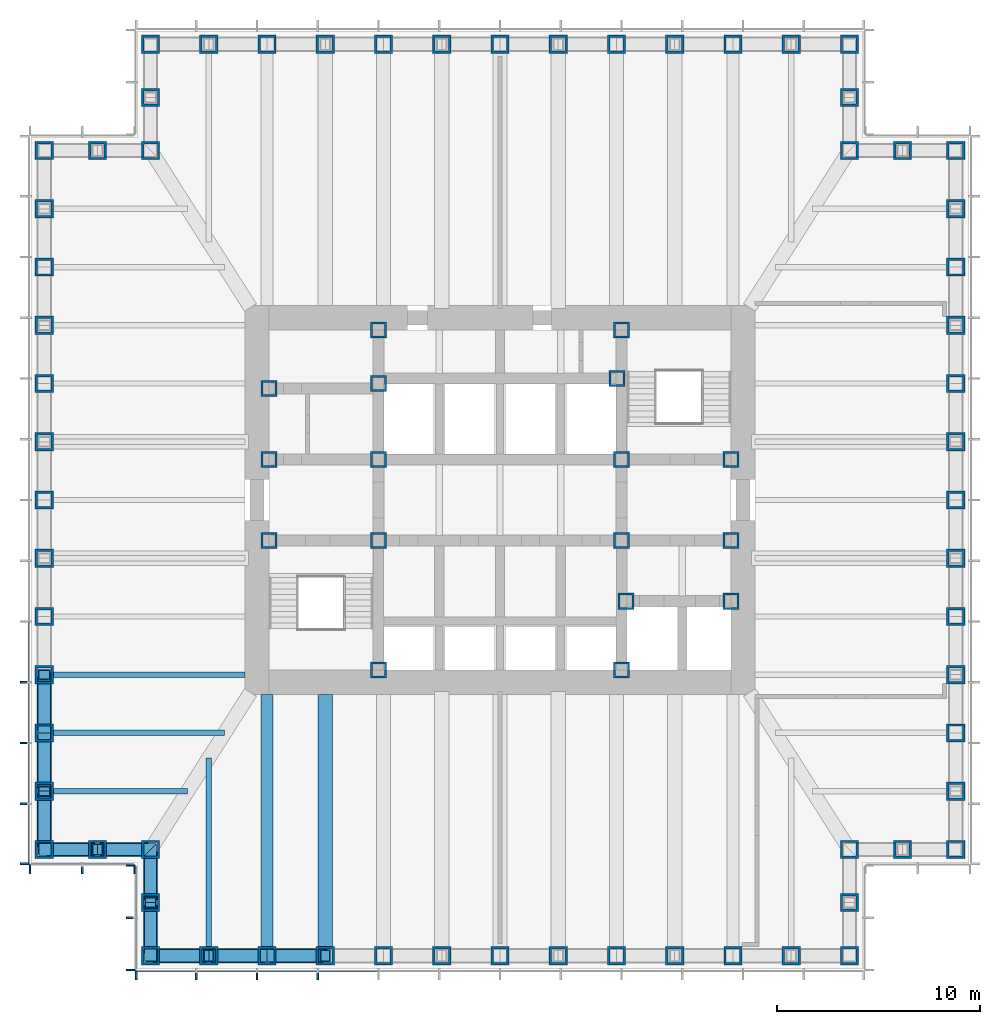
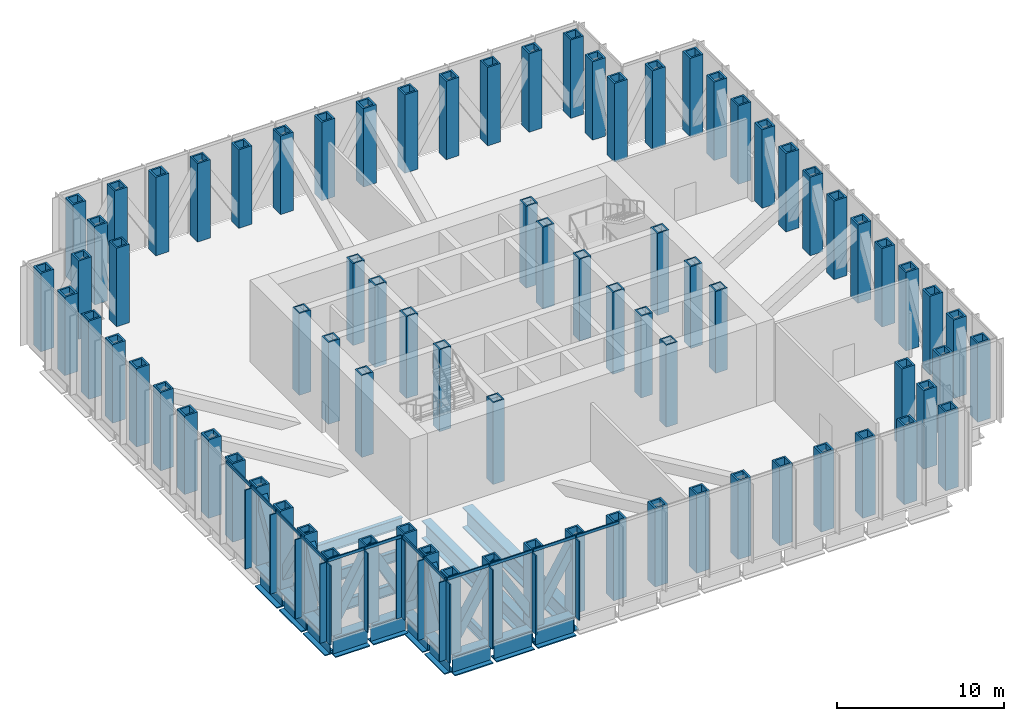
# One storey, part 1 of 13: 81 columns, 36 members, 16 beams, 4 elements without a shape of their own.
"""IFC4 building model written with IfcOpenShell, lengths in metres."""

from ifc_helpers import new_model, si_unit, direction, frame, origin, origin_2d, place, context, subcontext, project, spatial, rectangle, hollow_rectangle, i_section, extrude, material, material_profile, profile_set, type_object, element, aggregate, save


model = new_model("IFC4")

# Units and contexts
model_context = context("Model", 3, precision=1e-05, world=origin(), true_north=direction((0.0, 1.0)))
body_context = subcontext(model_context, "Body", "Model", "MODEL_VIEW")
ifc_project = project(units=[si_unit("LENGTHUNIT", "METRE"), si_unit("AREAUNIT", "SQUARE_METRE"), si_unit("VOLUMEUNIT", "CUBIC_METRE"), si_unit("PLANEANGLEUNIT", "RADIAN"), si_unit("MASSUNIT", "GRAM", prefix="KILO")], contexts=[model_context])

# Site, building, storey
site_placement = place(None, origin())
site = spatial("IfcSite", under=ifc_project, at=site_placement, CompositionType="ELEMENT")
building_placement = place(site_placement, origin())
building = spatial("IfcBuilding", under=site, at=building_placement, Name="Daluyong Arena Tower", CompositionType="ELEMENT")
storey_placement = place(building_placement, frame((0.0, 0.0, 175.300048828125)))
storey = spatial("IfcBuildingStorey", under=building, at=storey_placement, Name="L39", CompositionType="ELEMENT", Elevation=175.300048828125)

# Columns
ifc_material_1 = material(Name="Steel ASTM A572 Grade 50", Category="steel")
ifc_material_profile_1 = material_profile(ifc_material_1, hollow_rectangle(XDim=0.800048828125, YDim=0.800048828125, WallThickness=0.1, at=origin_2d()))
ifc_profile_set_1 = profile_set([ifc_material_profile_1], Name="Steel ASTM A572 Grade 50")
column_type_1 = type_object("IfcColumnType", Name="Core boundary column BX800X100", PredefinedType="COLUMN", material=ifc_profile_set_1)
for number, where, z_axis, x_axis, name in (
    (1, (44.60009765625, 78.0, 0.0), (0.0, 0.0, 1.0), (1.0, 0.0, 0.0), "core boundary column BC2"),
    (2, (44.60009765625, 82.0, 0.0), (0.0, 0.0, 1.0), (1.0, 0.0, 0.0), "core boundary column BC2"),
    (3, (44.60009765625, 85.5, 0.0), (0.0, 0.0, 1.0), (1.0, 0.0, 0.0), "core boundary column BC2"),
    (4, (50.0, 71.60009765625, 0.0), (0.0, 0.0, 1.0), (1.0, 0.0, 0.0), "core boundary column BC2"),
    (5, (50.0, 78.0, 0.0), (0.0, 0.0, 1.0), (1.0, 0.0, 0.0), "core boundary column BC2"),
    (6, (50.0, 82.0, 0.0), (0.0, 0.0, 1.0), (1.0, 0.0, 0.0), "core boundary column BC2"),
    (7, (50.0, 85.75, 0.0), (0.0, 0.0, 1.0), (1.0, 0.0, 0.0), "core boundary column BC2"),
    (8, (50.0, 88.39990234375, 0.0), (0.0, 0.0, 1.0), (1.0, 0.0, 0.0), "core boundary column BC2"),
    (9, (61.77490234375, 86.0, 0.0), (0.0, 0.0, 1.0), (1.0, 0.0, 0.0), "core boundary column BC2"),
    (10, (62.0, 71.60009765625, 0.0), (0.0, 0.0, 1.0), (1.0, 0.0, 0.0), "core boundary column BC2"),
    (11, (62.0, 78.0, 0.0), (0.0, 0.0, 1.0), (1.0, 0.0, 0.0), "core boundary column BC2"),
    (12, (62.0, 82.0, 0.0), (0.0, 0.0, 1.0), (1.0, 0.0, 0.0), "core boundary column BC2"),
    (13, (62.0, 88.39990234375, 0.0), (0.0, 0.0, 1.0), (1.0, 0.0, 0.0), "core boundary column BC2"),
    (14, (62.22509765625, 75.0, 0.0), (0.0, 0.0, 1.0), (1.0, 0.0, 0.0), "core boundary column BC2"),
    (15, (67.39990234375, 75.0, 0.0), (0.0, 0.0, 1.0), (1.0, 0.0, 0.0), "core boundary column BC2"),
    (16, (67.39990234375, 78.0, 0.0), (0.0, 0.0, 1.0), (1.0, 0.0, 0.0), "core boundary column BC2"),
    (17, (67.39990234375, 82.0, 0.0), (0.0, 0.0, 1.0), (1.0, 0.0, 0.0), "core boundary column BC2"),
):
    element("IfcColumn", number, at=place(storey_placement, frame(where, z_axis=z_axis, x_axis=x_axis)), inside=storey, type_object=column_type_1, Name=name, PredefinedType="COLUMN", context=body_context, shape_type="SweptSolid", body=[
        extrude(hollow_rectangle(XDim=0.800048828125, YDim=0.800048828125, WallThickness=0.1, at=origin_2d()), origin(), (0.0, 0.0, 1.0), 6.0),
    ])
ifc_material_2 = material(Name="Steel ASTM A588 Grade 50", Category="steel")
ifc_material_profile_2 = material_profile(ifc_material_2, hollow_rectangle(XDim=0.89990234375, YDim=0.89990234375, WallThickness=0.12, at=origin_2d()))
ifc_profile_set_2 = profile_set([ifc_material_profile_2], Name="Steel ASTM A588 Grade 50")
column_type_2 = type_object("IfcColumnType", Name="Tube column BX900X120 BX900X120", PredefinedType="COLUMN", material=ifc_profile_set_2)
for number, where, z_axis, x_axis, name in (
    (18, (38.75, 57.5, 0.0), (0.0, 0.0, 1.0), (1.0, 0.0, 0.0), "tube column bx900x120 TC4"),
    (19, (41.625, 57.5, 0.0), (0.0, 0.0, 1.0), (1.0, 0.0, 0.0), "tube column bx900x120 TC4"),
    (20, (44.5, 57.5, 0.0), (0.0, 0.0, 1.0), (1.0, 0.0, 0.0), "tube column bx900x120 TC4"),
    (21, (47.375, 57.5, 0.0), (0.0, 0.0, 1.0), (1.0, 0.0, 0.0), "tube column bx900x120 TC4"),
    (22, (50.25, 57.5, 0.0), (0.0, 0.0, 1.0), (1.0, 0.0, 0.0), "tube column bx900x120 TC4"),
    (23, (53.125, 57.5, 0.0), (0.0, 0.0, 1.0), (1.0, 0.0, 0.0), "tube column bx900x120 TC4"),
    (24, (56.0, 57.5, 0.0), (0.0, 0.0, 1.0), (1.0, 0.0, 0.0), "tube column bx900x120 TC4"),
    (25, (58.875, 57.5, 0.0), (0.0, 0.0, 1.0), (1.0, 0.0, 0.0), "tube column bx900x120 TC4"),
    (26, (61.75, 57.5, 0.0), (0.0, 0.0, 1.0), (1.0, 0.0, 0.0), "tube column bx900x120 TC4"),
    (27, (64.625, 57.5, 0.0), (0.0, 0.0, 1.0), (1.0, 0.0, 0.0), "tube column bx900x120 TC4"),
    (28, (67.5, 57.5, 0.0), (0.0, 0.0, 1.0), (1.0, 0.0, 0.0), "tube column bx900x120 TC4"),
    (29, (70.375, 57.5, 0.0), (0.0, 0.0, 1.0), (1.0, 0.0, 0.0), "tube column bx900x120 TC4"),
    (30, (73.25, 57.5, 0.0), (0.0, 0.0, 1.0), (0.0, 1.0, 0.0), "tube column bx900x120 TC4"),
    (31, (73.25, 60.125, 0.0), (0.0, 0.0, 1.0), (0.0, 1.0, 0.0), "tube column bx900x120 TC4"),
    (32, (73.25, 62.75, 0.0), (0.0, 0.0, 1.0), (1.0, 0.0, 0.0), "tube column bx900x120 TC4"),
    (33, (75.875, 62.75, 0.0), (0.0, 0.0, 1.0), (1.0, 0.0, 0.0), "tube column bx900x120 TC4"),
    (34, (78.5, 62.75, 0.0), (0.0, 0.0, 1.0), (0.0, 1.0, 0.0), "tube column bx900x120 TC4"),
    (35, (78.5, 65.625, 0.0), (0.0, 0.0, 1.0), (0.0, 1.0, 0.0), "tube column bx900x120 TC4"),
    (36, (78.5, 68.5, 0.0), (0.0, 0.0, 1.0), (0.0, 1.0, 0.0), "tube column bx900x120 TC4"),
    (37, (78.5, 71.375, 0.0), (0.0, 0.0, 1.0), (0.0, 1.0, 0.0), "tube column bx900x120 TC4"),
    (38, (78.5, 74.25, 0.0), (0.0, 0.0, 1.0), (0.0, 1.0, 0.0), "tube column bx900x120 TC4"),
    (39, (78.5, 77.125, 0.0), (0.0, 0.0, 1.0), (0.0, 1.0, 0.0), "tube column bx900x120 TC4"),
    (40, (78.5, 80.0, 0.0), (0.0, 0.0, 1.0), (0.0, 1.0, 0.0), "tube column bx900x120 TC4"),
    (41, (78.5, 82.875, 0.0), (0.0, 0.0, 1.0), (0.0, 1.0, 0.0), "tube column bx900x120 TC4"),
    (42, (78.5, 85.75, 0.0), (0.0, 0.0, 1.0), (0.0, 1.0, 0.0), "tube column bx900x120 TC4"),
    (43, (78.5, 88.625, 0.0), (0.0, 0.0, 1.0), (0.0, 1.0, 0.0), "tube column bx900x120 TC4"),
    (44, (78.5, 91.5, 0.0), (0.0, 0.0, 1.0), (0.0, 1.0, 0.0), "tube column bx900x120 TC4"),
    (45, (78.5, 94.375, 0.0), (0.0, 0.0, 1.0), (0.0, 1.0, 0.0), "tube column bx900x120 TC4"),
    (46, (78.5, 97.25, 0.0), (0.0, 0.0, 1.0), (1.0, 0.0, 0.0), "tube column bx900x120 TC4"),
    (47, (75.875, 97.25, 0.0), (0.0, 0.0, 1.0), (1.0, 0.0, 0.0), "tube column bx900x120 TC4"),
    (48, (73.25, 97.25, 0.0), (0.0, 0.0, 1.0), (0.0, 1.0, 0.0), "tube column bx900x120 TC4"),
    (49, (73.25, 99.875, 0.0), (0.0, 0.0, 1.0), (0.0, 1.0, 0.0), "tube column bx900x120 TC4"),
    (50, (73.25, 102.5, 0.0), (0.0, 0.0, 1.0), (1.0, 0.0, 0.0), "tube column bx900x120 TC4"),
    (51, (70.375, 102.5, 0.0), (0.0, 0.0, 1.0), (1.0, 0.0, 0.0), "tube column bx900x120 TC4"),
    (52, (67.5, 102.5, 0.0), (0.0, 0.0, 1.0), (1.0, 0.0, 0.0), "tube column bx900x120 TC4"),
    (53, (64.625, 102.5, 0.0), (0.0, 0.0, 1.0), (1.0, 0.0, 0.0), "tube column bx900x120 TC4"),
    (54, (61.75, 102.5, 0.0), (0.0, 0.0, 1.0), (1.0, 0.0, 0.0), "tube column bx900x120 TC4"),
    (55, (58.875, 102.5, 0.0), (0.0, 0.0, 1.0), (1.0, 0.0, 0.0), "tube column bx900x120 TC4"),
    (56, (56.0, 102.5, 0.0), (0.0, 0.0, 1.0), (1.0, 0.0, 0.0), "tube column bx900x120 TC4"),
    (57, (53.125, 102.5, 0.0), (0.0, 0.0, 1.0), (1.0, 0.0, 0.0), "tube column bx900x120 TC4"),
    (58, (50.25, 102.5, 0.0), (0.0, 0.0, 1.0), (1.0, 0.0, 0.0), "tube column bx900x120 TC4"),
    (59, (47.375, 102.5, 0.0), (0.0, 0.0, 1.0), (1.0, 0.0, 0.0), "tube column bx900x120 TC4"),
    (60, (44.5, 102.5, 0.0), (0.0, 0.0, 1.0), (1.0, 0.0, 0.0), "tube column bx900x120 TC4"),
    (61, (41.625, 102.5, 0.0), (0.0, 0.0, 1.0), (1.0, 0.0, 0.0), "tube column bx900x120 TC4"),
    (62, (38.75, 102.5, 0.0), (0.0, 0.0, 1.0), (0.0, 1.0, 0.0), "tube column bx900x120 TC4"),
    (63, (38.75, 99.875, 0.0), (0.0, 0.0, 1.0), (0.0, 1.0, 0.0), "tube column bx900x120 TC4"),
    (64, (38.75, 97.25, 0.0), (0.0, 0.0, 1.0), (1.0, 0.0, 0.0), "tube column bx900x120 TC4"),
    (65, (36.125, 97.25, 0.0), (0.0, 0.0, 1.0), (1.0, 0.0, 0.0), "tube column bx900x120 TC4"),
    (66, (33.5, 97.25, 0.0), (0.0, 0.0, 1.0), (0.0, 1.0, 0.0), "tube column bx900x120 TC4"),
    (67, (33.5, 94.375, 0.0), (0.0, 0.0, 1.0), (0.0, 1.0, 0.0), "tube column bx900x120 TC4"),
    (68, (33.5, 91.5, 0.0), (0.0, 0.0, 1.0), (0.0, 1.0, 0.0), "tube column bx900x120 TC4"),
    (69, (33.5, 88.625, 0.0), (0.0, 0.0, 1.0), (0.0, 1.0, 0.0), "tube column bx900x120 TC4"),
    (70, (33.5, 85.75, 0.0), (0.0, 0.0, 1.0), (0.0, 1.0, 0.0), "tube column bx900x120 TC4"),
    (71, (33.5, 82.875, 0.0), (0.0, 0.0, 1.0), (0.0, 1.0, 0.0), "tube column bx900x120 TC4"),
    (72, (33.5, 80.0, 0.0), (0.0, 0.0, 1.0), (0.0, 1.0, 0.0), "tube column bx900x120 TC4"),
    (73, (33.5, 77.125, 0.0), (0.0, 0.0, 1.0), (0.0, 1.0, 0.0), "tube column bx900x120 TC4"),
    (74, (33.5, 74.25, 0.0), (0.0, 0.0, 1.0), (0.0, 1.0, 0.0), "tube column bx900x120 TC4"),
    (75, (33.5, 71.375, 0.0), (0.0, 0.0, 1.0), (0.0, 1.0, 0.0), "tube column bx900x120 TC4"),
    (76, (33.5, 68.5, 0.0), (0.0, 0.0, 1.0), (0.0, 1.0, 0.0), "tube column bx900x120 TC4"),
    (77, (33.5, 65.625, 0.0), (0.0, 0.0, 1.0), (0.0, 1.0, 0.0), "tube column bx900x120 TC4"),
    (78, (33.5, 62.75, 0.0), (0.0, 0.0, 1.0), (1.0, 0.0, 0.0), "tube column bx900x120 TC4"),
    (79, (36.125, 62.75, 0.0), (0.0, 0.0, 1.0), (1.0, 0.0, 0.0), "tube column bx900x120 TC4"),
    (80, (38.75, 62.75, 0.0), (0.0, 0.0, 1.0), (0.0, 1.0, 0.0), "tube column bx900x120 TC4"),
    (81, (38.75, 60.125, 0.0), (0.0, 0.0, 1.0), (0.0, 1.0, 0.0), "tube column bx900x120 TC4"),
):
    element("IfcColumn", number, at=place(storey_placement, frame(where, z_axis=z_axis, x_axis=x_axis)), inside=storey, type_object=column_type_2, Name=name, PredefinedType="COLUMN", context=body_context, shape_type="SweptSolid", body=[
        extrude(hollow_rectangle(XDim=0.89990234375, YDim=0.89990234375, WallThickness=0.12, at=origin_2d()), origin(), (0.0, 0.0, 1.0), 5.75),
    ])

# Members
ifc_material_3 = material(Name="Steel ASTM A572 Grade 50", Category="steel")
ifc_material_profile_3 = material_profile(ifc_material_3, hollow_rectangle(XDim=0.60009765625, YDim=0.60009765625, WallThickness=0.05, at=origin_2d()))
ifc_profile_set_3 = profile_set([ifc_material_profile_3], Name="Steel ASTM A572 Grade 50")
member_type_1 = type_object("IfcMemberType", Name="Belt truss diagonal BX600X50", PredefinedType="BRACE", material=ifc_profile_set_3)
for number, where, z_axis, x_axis, name in (
    (82, (38.75, 57.5, 0.5), (0.517802679406, 0.0, 0.855500079018), (0.0, 1.0, 0.0), "belt truss diagonal BT1"),
    (83, (44.5, 57.5, 0.5), (-0.517802679406, 0.0, 0.855500079018), (0.0, -1.0, 0.0), "belt truss diagonal BT1"),
    (84, (44.5, 57.5, 0.5), (0.517802679406, 0.0, 0.855500079018), (0.0, 1.0, 0.0), "belt truss diagonal BT1"),
    (85, (33.5, 68.5, 0.5), (0.0, 0.517802679406, 0.855500079018), (-1.0, 0.0, 0.0), "belt truss diagonal BT1"),
    (86, (33.5, 68.5, 0.5), (0.0, -0.517802679406, 0.855500079018), (1.0, 0.0, 0.0), "belt truss diagonal BT1"),
    (87, (33.5, 62.75, 0.5), (0.0, 0.517802679406, 0.855500079018), (-1.0, 0.0, 0.0), "belt truss diagonal BT1"),
):
    element("IfcMember", number, at=place(storey_placement, frame(where, z_axis=z_axis, x_axis=x_axis)), inside=storey, type_object=member_type_1, Name=name, PredefinedType="BRACE", context=body_context, shape_type="SweptSolid", body=[
        extrude(hollow_rectangle(XDim=0.60009765625, YDim=0.60009765625, WallThickness=0.05, at=origin_2d()), origin(), (0.0, 0.0, 1.0), 5.55224609375),
    ])
for number, where, z_axis, x_axis, name in (
    (88, (33.5, 62.75, 0.5), (0.48368611169, 0.0, 0.875241535439), (0.0, 1.0, 0.0), "belt truss diagonal BT1"),
    (89, (38.75, 62.75, 0.5), (-0.48368611169, 0.0, 0.875241535439), (0.0, -1.0, 0.0), "belt truss diagonal BT1"),
    (90, (38.75, 62.75, 0.5), (0.0, -0.48368611169, 0.875241535439), (1.0, 0.0, 0.0), "belt truss diagonal BT1"),
    (91, (38.75, 57.5, 0.5), (0.0, 0.48368611169, 0.875241535439), (-1.0, 0.0, 0.0), "belt truss diagonal BT1"),
):
    element("IfcMember", number, at=place(storey_placement, frame(where, z_axis=z_axis, x_axis=x_axis)), inside=storey, type_object=member_type_1, Name=name, PredefinedType="BRACE", context=body_context, shape_type="SweptSolid", body=[
        extrude(hollow_rectangle(XDim=0.60009765625, YDim=0.60009765625, WallThickness=0.05, at=origin_2d()), origin(), (0.0, 0.0, 1.0), 5.427001953125),
    ])

# Curtain wall, members
ifc_material_4 = material(Name="Bronze anodised aluminium and glass", Category="aluminium")
curtain_wall_type = type_object("IfcCurtainWallType", Name="Curtain wall CW6", PredefinedType="USERDEFINED", material=ifc_material_4)
curtain_wall_1_placement = place(storey_placement, origin())
curtain_wall_1 = element("IfcCurtainWall", 92, at=curtain_wall_1_placement, inside=storey, type_object=curtain_wall_type, Name="curtain wall L39 S", ObjectType="UNITISED CURTAIN WALL", PredefinedType="USERDEFINED")
ifc_material_5 = material(Name="Bronze anodised aluminium fin", Category="aluminium")
ifc_material_profile_4 = material_profile(ifc_material_5, rectangle(XDim=0.449951171875, YDim=0.080078125, at=origin_2d()))
ifc_profile_set_4 = profile_set([ifc_material_profile_4], Name="Bronze anodised aluminium fin")
member_type_2 = type_object("IfcMemberType", Name="CW6 bronze fin 450x80", PredefinedType="MULLION", material=ifc_profile_set_4)
member_1_placement = place(storey_placement, frame((38.0400390625, 56.52490234375, 0.0), z_axis=(0.0, 0.0, 1.0), x_axis=(0.0, 1.0, 0.0)))
member_1 = element("IfcMember", 93, at=member_1_placement, type_object=member_type_2, Name="curtain wall L39 S fin 1", PredefinedType="MULLION", context=body_context, shape_type="SweptSolid", body=[
    extrude(rectangle(XDim=0.449951171875, YDim=0.080078125, at=origin_2d()), origin(), (0.0, 0.0, 1.0), 5.800048828125),
])
member_2_placement = place(storey_placement, frame((41.0, 56.52490234375, 0.0), z_axis=(0.0, 0.0, 1.0), x_axis=(0.0, 1.0, 0.0)))
member_2 = element("IfcMember", 94, at=member_2_placement, type_object=member_type_2, Name="curtain wall L39 S fin 2", PredefinedType="MULLION", context=body_context, shape_type="SweptSolid", body=[
    extrude(rectangle(XDim=0.449951171875, YDim=0.080078125, at=origin_2d()), origin(), (0.0, 0.0, 1.0), 5.800048828125),
])
member_3_placement = place(storey_placement, frame((44.0, 56.52490234375, 0.0), z_axis=(0.0, 0.0, 1.0), x_axis=(0.0, 1.0, 0.0)))
member_3 = element("IfcMember", 95, at=member_3_placement, type_object=member_type_2, Name="curtain wall L39 S fin 3", PredefinedType="MULLION", context=body_context, shape_type="SweptSolid", body=[
    extrude(rectangle(XDim=0.449951171875, YDim=0.080078125, at=origin_2d()), origin(), (0.0, 0.0, 1.0), 5.800048828125),
])
member_4_placement = place(storey_placement, frame((47.0, 56.52490234375, 0.0), z_axis=(0.0, 0.0, 1.0), x_axis=(0.0, 1.0, 0.0)))
member_4 = element("IfcMember", 96, at=member_4_placement, type_object=member_type_2, Name="curtain wall L39 S fin 4", PredefinedType="MULLION", context=body_context, shape_type="SweptSolid", body=[
    extrude(rectangle(XDim=0.449951171875, YDim=0.080078125, at=origin_2d()), origin(), (0.0, 0.0, 1.0), 5.800048828125),
])

curtain_wall_2_placement = place(storey_placement, origin())
curtain_wall_2 = element("IfcCurtainWall", 97, at=curtain_wall_2_placement, inside=storey, type_object=curtain_wall_type, Name="curtain wall L39 W", ObjectType="UNITISED CURTAIN WALL", PredefinedType="USERDEFINED")
member_5_placement = place(storey_placement, frame((32.52490234375, 71.0, 0.0), z_axis=(0.0, 0.0, 1.0), x_axis=(1.0, 0.0, 0.0)))
member_5 = element("IfcMember", 98, at=member_5_placement, type_object=member_type_2, Name="curtain wall L39 W fin 10", PredefinedType="MULLION", context=body_context, shape_type="SweptSolid", body=[
    extrude(rectangle(XDim=0.449951171875, YDim=0.080078125, at=origin_2d()), origin(), (0.0, 0.0, 1.0), 5.800048828125),
])
member_6_placement = place(storey_placement, frame((32.52490234375, 68.0, 0.0), z_axis=(0.0, 0.0, 1.0), x_axis=(1.0, 0.0, 0.0)))
member_6 = element("IfcMember", 99, at=member_6_placement, type_object=member_type_2, Name="curtain wall L39 W fin 11", PredefinedType="MULLION", context=body_context, shape_type="SweptSolid", body=[
    extrude(rectangle(XDim=0.449951171875, YDim=0.080078125, at=origin_2d()), origin(), (0.0, 0.0, 1.0), 5.800048828125),
])
member_7_placement = place(storey_placement, frame((32.52490234375, 65.0, 0.0), z_axis=(0.0, 0.0, 1.0), x_axis=(1.0, 0.0, 0.0)))
member_7 = element("IfcMember", 100, at=member_7_placement, type_object=member_type_2, Name="curtain wall L39 W fin 12", PredefinedType="MULLION", context=body_context, shape_type="SweptSolid", body=[
    extrude(rectangle(XDim=0.449951171875, YDim=0.080078125, at=origin_2d()), origin(), (0.0, 0.0, 1.0), 5.800048828125),
])
member_8_placement = place(storey_placement, frame((32.52490234375, 62.0400390625, 0.0), z_axis=(0.0, 0.0, 1.0), x_axis=(1.0, 0.0, 0.0)))
member_8 = element("IfcMember", 101, at=member_8_placement, type_object=member_type_2, Name="curtain wall L39 W fin 13", PredefinedType="MULLION", context=body_context, shape_type="SweptSolid", body=[
    extrude(rectangle(XDim=0.449951171875, YDim=0.080078125, at=origin_2d()), origin(), (0.0, 0.0, 1.0), 5.800048828125),
])

curtain_wall_3_placement = place(storey_placement, origin())
curtain_wall_3 = element("IfcCurtainWall", 102, at=curtain_wall_3_placement, inside=storey, type_object=curtain_wall_type, Name="curtain wall L39 SW-S", ObjectType="UNITISED CURTAIN WALL", PredefinedType="USERDEFINED")
member_9_placement = place(storey_placement, frame((32.7900390625, 61.77490234375, 0.0), z_axis=(0.0, 0.0, 1.0), x_axis=(0.0, 1.0, 0.0)))
member_9 = element("IfcMember", 103, at=member_9_placement, type_object=member_type_2, Name="curtain wall L39 SW-S fin 1", PredefinedType="MULLION", context=body_context, shape_type="SweptSolid", body=[
    extrude(rectangle(XDim=0.449951171875, YDim=0.080078125, at=origin_2d()), origin(), (0.0, 0.0, 1.0), 5.800048828125),
])
member_10_placement = place(storey_placement, frame((35.375, 61.77490234375, 0.0), z_axis=(0.0, 0.0, 1.0), x_axis=(0.0, 1.0, 0.0)))
member_10 = element("IfcMember", 104, at=member_10_placement, type_object=member_type_2, Name="curtain wall L39 SW-S fin 2", PredefinedType="MULLION", context=body_context, shape_type="SweptSolid", body=[
    extrude(rectangle(XDim=0.449951171875, YDim=0.080078125, at=origin_2d()), origin(), (0.0, 0.0, 1.0), 5.800048828125),
])
member_11_placement = place(storey_placement, frame((37.9599609375, 61.77490234375, 0.0), z_axis=(0.0, 0.0, 1.0), x_axis=(0.0, 1.0, 0.0)))
member_11 = element("IfcMember", 105, at=member_11_placement, type_object=member_type_2, Name="curtain wall L39 SW-S fin 3", PredefinedType="MULLION", context=body_context, shape_type="SweptSolid", body=[
    extrude(rectangle(XDim=0.449951171875, YDim=0.080078125, at=origin_2d()), origin(), (0.0, 0.0, 1.0), 5.800048828125),
])

curtain_wall_4_placement = place(storey_placement, origin())
curtain_wall_4 = element("IfcCurtainWall", 106, at=curtain_wall_4_placement, inside=storey, type_object=curtain_wall_type, Name="curtain wall L39 SW-W", ObjectType="UNITISED CURTAIN WALL", PredefinedType="USERDEFINED")
member_12_placement = place(storey_placement, frame((37.77490234375, 61.9599609375, 0.0), z_axis=(0.0, 0.0, 1.0), x_axis=(1.0, 0.0, 0.0)))
member_12 = element("IfcMember", 107, at=member_12_placement, type_object=member_type_2, Name="curtain wall L39 SW-W fin 1", PredefinedType="MULLION", context=body_context, shape_type="SweptSolid", body=[
    extrude(rectangle(XDim=0.449951171875, YDim=0.080078125, at=origin_2d()), origin(), (0.0, 0.0, 1.0), 5.800048828125),
])
member_13_placement = place(storey_placement, frame((37.77490234375, 59.375, 0.0), z_axis=(0.0, 0.0, 1.0), x_axis=(1.0, 0.0, 0.0)))
member_13 = element("IfcMember", 108, at=member_13_placement, type_object=member_type_2, Name="curtain wall L39 SW-W fin 2", PredefinedType="MULLION", context=body_context, shape_type="SweptSolid", body=[
    extrude(rectangle(XDim=0.449951171875, YDim=0.080078125, at=origin_2d()), origin(), (0.0, 0.0, 1.0), 5.800048828125),
])
member_14_placement = place(storey_placement, frame((37.77490234375, 56.7900390625, 0.0), z_axis=(0.0, 0.0, 1.0), x_axis=(1.0, 0.0, 0.0)))
member_14 = element("IfcMember", 109, at=member_14_placement, type_object=member_type_2, Name="curtain wall L39 SW-W fin 3", PredefinedType="MULLION", context=body_context, shape_type="SweptSolid", body=[
    extrude(rectangle(XDim=0.449951171875, YDim=0.080078125, at=origin_2d()), origin(), (0.0, 0.0, 1.0), 5.800048828125),
])

# Member
ifc_material_6 = material(Name="Bronze anodised aluminium", Category="aluminium")
ifc_material_profile_5 = material_profile(ifc_material_6, rectangle(XDim=0.080078125, YDim=0.199951171875, at=origin_2d()))
ifc_profile_set_5 = profile_set([ifc_material_profile_5], Name="Bronze anodised aluminium")
member_type_3 = type_object("IfcMemberType", Name="CW6 stack transom 200x80", PredefinedType="USERDEFINED", material=ifc_profile_set_5)
member_15_placement = place(storey_placement, frame((38.080078125, 56.75, 5.89990234375), z_axis=(1.0, 0.0, 0.0), x_axis=(0.0, 1.0, 0.0)))
member_15 = element("IfcMember", 110, at=member_15_placement, type_object=member_type_3, Name="curtain wall L39 S transom 1", ObjectType="TRANSOM", PredefinedType="USERDEFINED", context=body_context, shape_type="SweptSolid", body=[
    extrude(rectangle(XDim=0.080078125, YDim=0.199951171875, at=origin_2d()), origin(), (0.0, 0.0, 1.0), 2.8798828125),
])

member_16_placement = place(storey_placement, frame((41.0400390625, 56.75, 5.89990234375), z_axis=(1.0, 0.0, 0.0), x_axis=(0.0, 1.0, 0.0)))
member_16 = element("IfcMember", 111, at=member_16_placement, type_object=member_type_3, Name="curtain wall L39 S transom 2", ObjectType="TRANSOM", PredefinedType="USERDEFINED", context=body_context, shape_type="SweptSolid", body=[
    extrude(rectangle(XDim=0.080078125, YDim=0.199951171875, at=origin_2d()), origin(), (0.0, 0.0, 1.0), 2.919921875),
])

member_17_placement = place(storey_placement, frame((44.0400390625, 56.75, 5.89990234375), z_axis=(1.0, 0.0, 0.0), x_axis=(0.0, 1.0, 0.0)))
member_17 = element("IfcMember", 112, at=member_17_placement, type_object=member_type_3, Name="curtain wall L39 S transom 3", ObjectType="TRANSOM", PredefinedType="USERDEFINED", context=body_context, shape_type="SweptSolid", body=[
    extrude(rectangle(XDim=0.080078125, YDim=0.199951171875, at=origin_2d()), origin(), (0.0, 0.0, 1.0), 2.919921875),
])

member_18_placement = place(storey_placement, frame((47.0400390625, 56.75, 5.89990234375), z_axis=(1.0, 0.0, 0.0), x_axis=(0.0, 1.0, 0.0)))
member_18 = element("IfcMember", 113, at=member_18_placement, type_object=member_type_3, Name="curtain wall L39 S transom 4", ObjectType="TRANSOM", PredefinedType="USERDEFINED", context=body_context, shape_type="SweptSolid", body=[
    extrude(rectangle(XDim=0.080078125, YDim=0.199951171875, at=origin_2d()), origin(), (0.0, 0.0, 1.0), 2.919921875),
])

aggregate(curtain_wall_1, [member_1, member_2, member_3, member_4, member_15, member_16, member_17, member_18])

member_19_placement = place(storey_placement, frame((32.75, 73.9599609375, 5.89990234375), z_axis=(0.0, -1.0, 0.0), x_axis=(1.0, 0.0, 0.0)))
member_19 = element("IfcMember", 114, at=member_19_placement, type_object=member_type_3, Name="curtain wall L39 W transom 9", ObjectType="TRANSOM", PredefinedType="USERDEFINED", context=body_context, shape_type="SweptSolid", body=[
    extrude(rectangle(XDim=0.080078125, YDim=0.199951171875, at=origin_2d()), origin(), (0.0, 0.0, 1.0), 2.919921875),
])

member_20_placement = place(storey_placement, frame((32.75, 70.9599609375, 5.89990234375), z_axis=(0.0, -1.0, 0.0), x_axis=(1.0, 0.0, 0.0)))
member_20 = element("IfcMember", 115, at=member_20_placement, type_object=member_type_3, Name="curtain wall L39 W transom 10", ObjectType="TRANSOM", PredefinedType="USERDEFINED", context=body_context, shape_type="SweptSolid", body=[
    extrude(rectangle(XDim=0.080078125, YDim=0.199951171875, at=origin_2d()), origin(), (0.0, 0.0, 1.0), 2.919921875),
])

member_21_placement = place(storey_placement, frame((32.75, 67.9599609375, 5.89990234375), z_axis=(0.0, -1.0, 0.0), x_axis=(1.0, 0.0, 0.0)))
member_21 = element("IfcMember", 116, at=member_21_placement, type_object=member_type_3, Name="curtain wall L39 W transom 11", ObjectType="TRANSOM", PredefinedType="USERDEFINED", context=body_context, shape_type="SweptSolid", body=[
    extrude(rectangle(XDim=0.080078125, YDim=0.199951171875, at=origin_2d()), origin(), (0.0, 0.0, 1.0), 2.919921875),
])

member_22_placement = place(storey_placement, frame((32.75, 64.9599609375, 5.89990234375), z_axis=(0.0, -1.0, 0.0), x_axis=(1.0, 0.0, 0.0)))
member_22 = element("IfcMember", 117, at=member_22_placement, type_object=member_type_3, Name="curtain wall L39 W transom 12", ObjectType="TRANSOM", PredefinedType="USERDEFINED", context=body_context, shape_type="SweptSolid", body=[
    extrude(rectangle(XDim=0.080078125, YDim=0.199951171875, at=origin_2d()), origin(), (0.0, 0.0, 1.0), 2.8798828125),
])

aggregate(curtain_wall_2, [member_5, member_6, member_7, member_8, member_19, member_20, member_21, member_22])

member_23_placement = place(storey_placement, frame((32.830078125, 62.0, 5.89990234375), z_axis=(1.0, 0.0, 0.0), x_axis=(0.0, 1.0, 0.0)))
member_23 = element("IfcMember", 118, at=member_23_placement, type_object=member_type_3, Name="curtain wall L39 SW-S transom 1", ObjectType="TRANSOM", PredefinedType="USERDEFINED", context=body_context, shape_type="SweptSolid", body=[
    extrude(rectangle(XDim=0.080078125, YDim=0.199951171875, at=origin_2d()), origin(), (0.0, 0.0, 1.0), 2.5048828125),
])

member_24_placement = place(storey_placement, frame((35.4150390625, 62.0, 5.89990234375), z_axis=(1.0, 0.0, 0.0), x_axis=(0.0, 1.0, 0.0)))
member_24 = element("IfcMember", 119, at=member_24_placement, type_object=member_type_3, Name="curtain wall L39 SW-S transom 2", ObjectType="TRANSOM", PredefinedType="USERDEFINED", context=body_context, shape_type="SweptSolid", body=[
    extrude(rectangle(XDim=0.080078125, YDim=0.199951171875, at=origin_2d()), origin(), (0.0, 0.0, 1.0), 2.5048828125),
])

aggregate(curtain_wall_3, [member_9, member_10, member_11, member_23, member_24])

member_25_placement = place(storey_placement, frame((38.0, 61.919921875, 5.89990234375), z_axis=(0.0, -1.0, 0.0), x_axis=(1.0, 0.0, 0.0)))
member_25 = element("IfcMember", 120, at=member_25_placement, type_object=member_type_3, Name="curtain wall L39 SW-W transom 1", ObjectType="TRANSOM", PredefinedType="USERDEFINED", context=body_context, shape_type="SweptSolid", body=[
    extrude(rectangle(XDim=0.080078125, YDim=0.199951171875, at=origin_2d()), origin(), (0.0, 0.0, 1.0), 2.5048828125),
])

member_26_placement = place(storey_placement, frame((38.0, 59.3349609375, 5.89990234375), z_axis=(0.0, -1.0, 0.0), x_axis=(1.0, 0.0, 0.0)))
member_26 = element("IfcMember", 121, at=member_26_placement, type_object=member_type_3, Name="curtain wall L39 SW-W transom 2", ObjectType="TRANSOM", PredefinedType="USERDEFINED", context=body_context, shape_type="SweptSolid", body=[
    extrude(rectangle(XDim=0.080078125, YDim=0.199951171875, at=origin_2d()), origin(), (0.0, 0.0, 1.0), 2.5048828125),
])

aggregate(curtain_wall_4, [member_12, member_13, member_14, member_25, member_26])

# Beams
ifc_material_7 = material(Name="Steel ASTM A572 Grade 50", Category="steel")
ifc_material_profile_6 = material_profile(ifc_material_7, i_section(OverallWidth=0.699951171875, OverallDepth=1.5, WebThickness=0.04, FlangeThickness=0.08, at=origin_2d()))
ifc_profile_set_6 = profile_set([ifc_material_profile_6], Name="Steel ASTM A572 Grade 50")
beam_type_1 = type_object("IfcBeamType", Name="Floor beam PG1500X700", PredefinedType="BEAM", material=ifc_profile_set_6)
beam_1_placement = place(storey_placement, frame((47.375, 57.614990234375, -1.0), z_axis=(0.0, 1.0, 0.0), x_axis=(-1.0, 0.0, 0.0)))
element("IfcBeam", 122, at=beam_1_placement, inside=storey, type_object=beam_type_1, Name="floor beam FB8", PredefinedType="BEAM", context=body_context, shape_type="SweptSolid", body=[
    extrude(i_section(OverallWidth=0.699951171875, OverallDepth=1.5, WebThickness=0.04, FlangeThickness=0.08, at=origin_2d()), origin(), (0.0, 0.0, 1.0), 12.784912109375),
])
ifc_material_8 = material(Name="Steel ASTM A572 Grade 50", Category="steel")
ifc_material_profile_7 = material_profile(ifc_material_8, i_section(OverallWidth=0.60009765625, OverallDepth=1.300048828125, WebThickness=0.035, FlangeThickness=0.07, at=origin_2d()))
ifc_profile_set_7 = profile_set([ifc_material_profile_7], Name="Steel ASTM A572 Grade 50")
beam_type_2 = type_object("IfcBeamType", Name="Floor beam TB1300X600", PredefinedType="BEAM", material=ifc_profile_set_7)
beam_2_placement = place(storey_placement, frame((44.5, 57.614990234375, -0.900146484375), z_axis=(0.0, 1.0, 0.0), x_axis=(-1.0, 0.0, 0.0)))
element("IfcBeam", 123, at=beam_2_placement, inside=storey, type_object=beam_type_2, Name="floor beam FB7", PredefinedType="BEAM", context=body_context, shape_type="SweptSolid", body=[
    extrude(i_section(OverallWidth=0.60009765625, OverallDepth=1.300048828125, WebThickness=0.035, FlangeThickness=0.07, at=origin_2d()), origin(), (0.0, 0.0, 1.0), 12.784912109375),
])
ifc_material_9 = material(Name="Steel ASTM A992 Grade 50", Category="steel")
ifc_material_profile_8 = material_profile(ifc_material_9, i_section(OverallWidth=0.2666015625, OverallDepth=0.761962890625, WebThickness=0.014404296875, FlangeThickness=0.021484375, at=origin_2d()))
ifc_profile_set_8 = profile_set([ifc_material_profile_8], Name="Steel ASTM A992 Grade 50")
beam_type_3 = type_object("IfcBeamType", Name="Floor beam W30X116", PredefinedType="BEAM", material=ifc_profile_set_8)
beam_3_placement = place(storey_placement, frame((41.625, 57.614990234375, -0.631103515625), z_axis=(0.0, 1.0, 0.0), x_axis=(-1.0, 0.0, 0.0)))
element("IfcBeam", 124, at=beam_3_placement, inside=storey, type_object=beam_type_3, Name="floor beam FB4", PredefinedType="BEAM", context=body_context, shape_type="SweptSolid", body=[
    extrude(i_section(OverallWidth=0.2666015625, OverallDepth=0.761962890625, WebThickness=0.014404296875, FlangeThickness=0.021484375, at=origin_2d()), origin(), (0.0, 0.0, 1.0), 9.65283203125),
])
beam_4_placement = place(storey_placement, frame((33.614990234375, 71.375, -0.631103515625), z_axis=(1.0, 0.0, 0.0), x_axis=(0.0, 1.0, 0.0)))
element("IfcBeam", 125, at=beam_4_placement, inside=storey, type_object=beam_type_3, Name="floor beam FB4", PredefinedType="BEAM", context=body_context, shape_type="SweptSolid", body=[
    extrude(i_section(OverallWidth=0.2666015625, OverallDepth=0.761962890625, WebThickness=0.014404296875, FlangeThickness=0.021484375, at=origin_2d()), origin(), (0.0, 0.0, 1.0), 9.784912109375),
])
beam_5_placement = place(storey_placement, frame((33.614990234375, 68.5, -0.631103515625), z_axis=(1.0, 0.0, 0.0), x_axis=(0.0, 1.0, 0.0)))
element("IfcBeam", 126, at=beam_5_placement, inside=storey, type_object=beam_type_3, Name="floor beam FB4", PredefinedType="BEAM", context=body_context, shape_type="SweptSolid", body=[
    extrude(i_section(OverallWidth=0.2666015625, OverallDepth=0.761962890625, WebThickness=0.014404296875, FlangeThickness=0.021484375, at=origin_2d()), origin(), (0.0, 0.0, 1.0), 8.794189453125),
])
beam_6_placement = place(storey_placement, frame((33.614990234375, 65.625, -0.631103515625), z_axis=(1.0, 0.0, 0.0), x_axis=(0.0, 1.0, 0.0)))
element("IfcBeam", 127, at=beam_6_placement, inside=storey, type_object=beam_type_3, Name="floor beam FB4", PredefinedType="BEAM", context=body_context, shape_type="SweptSolid", body=[
    extrude(i_section(OverallWidth=0.2666015625, OverallDepth=0.761962890625, WebThickness=0.014404296875, FlangeThickness=0.021484375, at=origin_2d()), origin(), (0.0, 0.0, 1.0), 6.964599609375),
])
ifc_material_10 = material(Name="Steel ASTM A572 Grade 50", Category="steel")
ifc_material_profile_9 = material_profile(ifc_material_10, i_section(OverallWidth=0.699951171875, OverallDepth=1.5, WebThickness=0.04, FlangeThickness=0.08, at=origin_2d()))
ifc_profile_set_9 = profile_set([ifc_material_profile_9], Name="Steel ASTM A572 Grade 50")
beam_type_4 = type_object("IfcBeamType", Name="Spandrel Z2 PG1500X700", PredefinedType="SPANDREL", material=ifc_profile_set_9)
for number, where, z_axis, x_axis, name in (
    (128, (38.864990234375, 57.5, -1.0), (1.0, 0.0, 0.0), (0.0, 1.0, 0.0), "spandrel z2 SB6"),
    (129, (41.739990234375, 57.5, -1.0), (1.0, 0.0, 0.0), (0.0, 1.0, 0.0), "spandrel z2 SB6"),
    (130, (44.614990234375, 57.5, -1.0), (1.0, 0.0, 0.0), (0.0, 1.0, 0.0), "spandrel z2 SB6"),
    (131, (33.5, 71.260009765625, -1.0), (0.0, -1.0, 0.0), (1.0, 0.0, 0.0), "spandrel z2 SB6"),
    (132, (33.5, 68.385009765625, -1.0), (0.0, -1.0, 0.0), (1.0, 0.0, 0.0), "spandrel z2 SB6"),
    (133, (33.5, 65.510009765625, -1.0), (0.0, -1.0, 0.0), (1.0, 0.0, 0.0), "spandrel z2 SB6"),
):
    element("IfcBeam", number, at=place(storey_placement, frame(where, z_axis=z_axis, x_axis=x_axis)), inside=storey, type_object=beam_type_4, Name=name, PredefinedType="SPANDREL", context=body_context, shape_type="SweptSolid", body=[
        extrude(i_section(OverallWidth=0.699951171875, OverallDepth=1.5, WebThickness=0.04, FlangeThickness=0.08, at=origin_2d()), origin(), (0.0, 0.0, 1.0), 2.64501953125),
    ])
for number, where, z_axis, x_axis, name in (
    (134, (33.614990234375, 62.75, -1.0), (1.0, 0.0, 0.0), (0.0, 1.0, 0.0), "spandrel z2 SB6"),
    (135, (36.239990234375, 62.75, -1.0), (1.0, 0.0, 0.0), (0.0, 1.0, 0.0), "spandrel z2 SB6"),
    (136, (38.75, 62.635009765625, -1.0), (0.0, -1.0, 0.0), (1.0, 0.0, 0.0), "spandrel z2 SB6"),
    (137, (38.75, 60.010009765625, -1.0), (0.0, -1.0, 0.0), (1.0, 0.0, 0.0), "spandrel z2 SB6"),
):
    element("IfcBeam", number, at=place(storey_placement, frame(where, z_axis=z_axis, x_axis=x_axis)), inside=storey, type_object=beam_type_4, Name=name, PredefinedType="SPANDREL", context=body_context, shape_type="SweptSolid", body=[
        extrude(i_section(OverallWidth=0.699951171875, OverallDepth=1.5, WebThickness=0.04, FlangeThickness=0.08, at=origin_2d()), origin(), (0.0, 0.0, 1.0), 2.39501953125),
    ])

save(model, "model.ifc")
